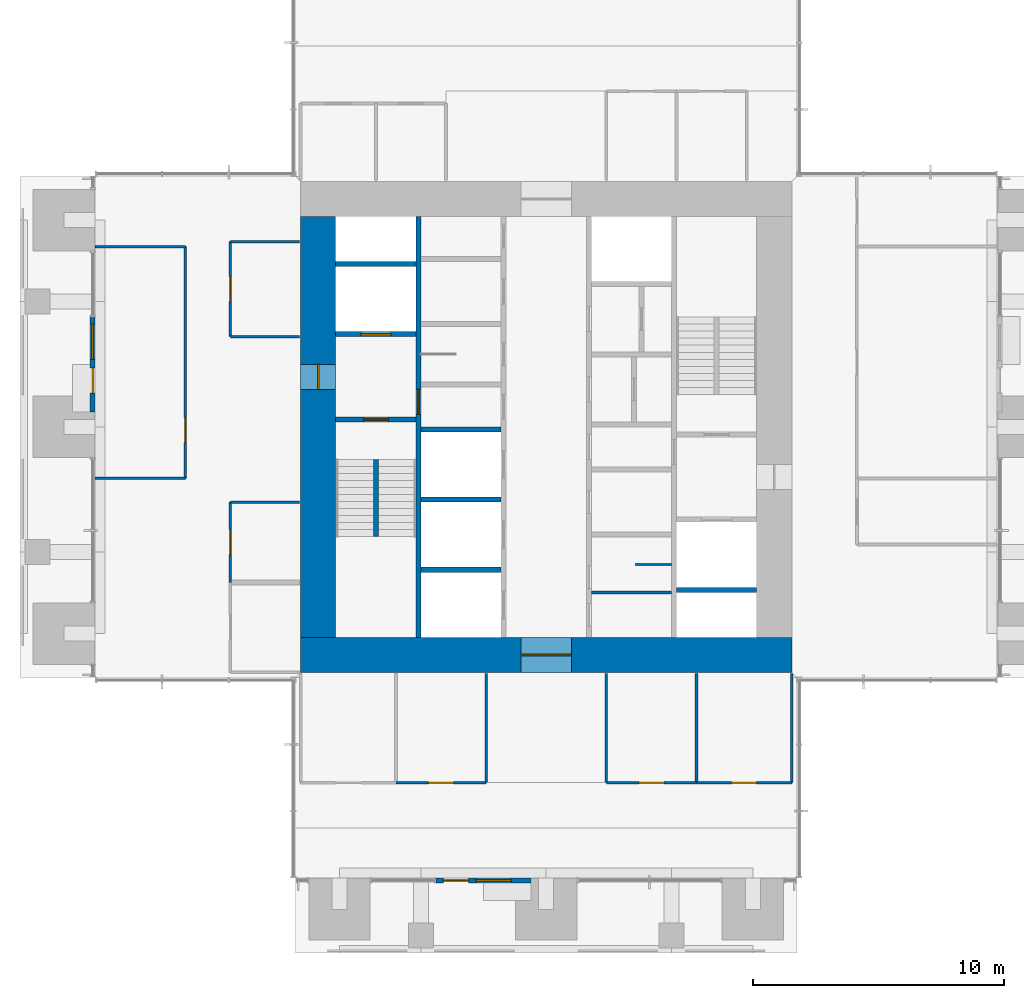
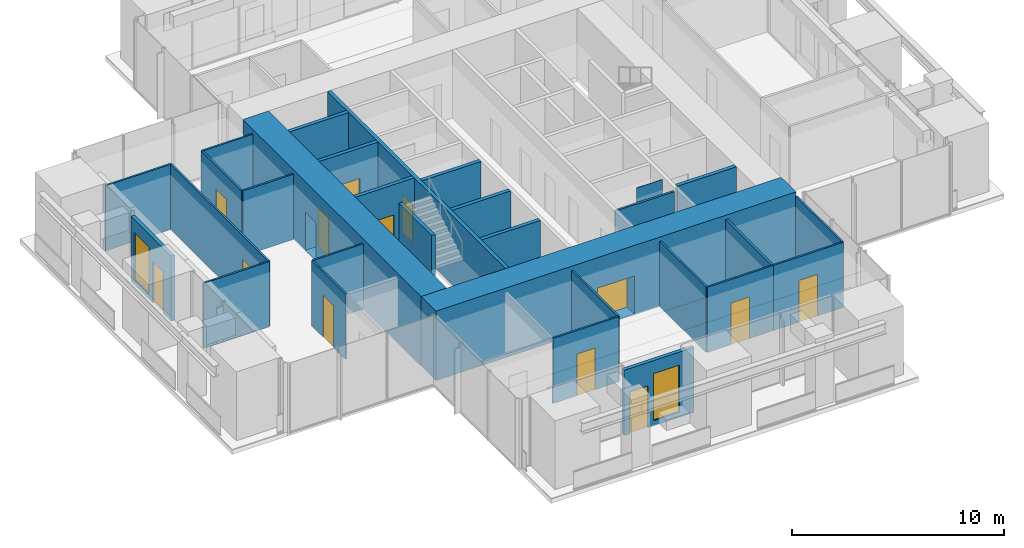
# One storey, part 12 of 17: 30 walls, 13 doors, 2 windows, 15 openings.
"""IFC4 building model written with IfcOpenShell, lengths in metres."""

from ifc_helpers import new_model, si_unit, direction, frame, frame_2d, origin, place, context, subcontext, project, spatial, rectangle, extrude, material, layer, layer_set, type_object, element, fill, save


model = new_model("IFC4")

# Units and contexts
model_context = context("Model", 3, precision=1e-05, world=origin(), true_north=direction((0.0, 1.0)))
body_context = subcontext(model_context, "Body", "Model", "MODEL_VIEW")
ifc_project = project(units=[si_unit("LENGTHUNIT", "METRE"), si_unit("AREAUNIT", "SQUARE_METRE"), si_unit("VOLUMEUNIT", "CUBIC_METRE"), si_unit("PLANEANGLEUNIT", "RADIAN"), si_unit("MASSUNIT", "GRAM", prefix="KILO")], contexts=[model_context])

# Site, building, storey
site_placement = place(None, origin())
site = spatial("IfcSite", under=ifc_project, at=site_placement, CompositionType="ELEMENT")
building_placement = place(site_placement, origin())
building = spatial("IfcBuilding", under=site, at=building_placement, Name="Svetlomir Tower", CompositionType="ELEMENT")
storey_placement = place(building_placement, frame((0.0, 0.0, 198.5)))
storey = spatial("IfcBuildingStorey", under=building, at=storey_placement, Name="L47", CompositionType="ELEMENT", Elevation=198.5)

# Wall, openings, door, window
ifc_material_1 = material(Name="Bronze anodised aluminium glazed screen", Category="aluminium")
ifc_layer_1 = layer(ifc_material_1, 0.199951171875)
ifc_layer_set_1 = layer_set([ifc_layer_1], Name="Bronze anodised aluminium glazed screen")
wall_type_1 = type_object("IfcWallType", Name="BALCONY SCREEN WALL 200", PredefinedType="USERDEFINED", material=ifc_layer_set_1)
wall_1_placement = place(storey_placement, frame((16.60009765625, 2.89990234375, 0.0), z_axis=(0.0, 0.0, 1.0), x_axis=(1.0, 0.0, 0.0)))
wall_1 = element("IfcWall", 1, at=wall_1_placement, inside=storey, type_object=wall_type_1, Name="Balcony screen S", ObjectType="GLAZED SCREEN", PredefinedType="USERDEFINED", context=body_context, shape_type="SweptSolid", body=[
    extrude(rectangle(XDim=3.7998046875, YDim=0.199951171875, at=frame_2d((1.89990234375, 0.0))), origin(), (0.0, 0.0, 1.0), 3.75),
])
opening_1_placement = place(wall_1_placement, frame((0.300048828125, 0.0, 0.0)))
opening_1 = element("IfcOpeningElement", 2, at=opening_1_placement, cuts=wall_1, Name="Opening BD", PredefinedType="OPENING", context=body_context, shape_type="SweptSolid", body=[
    extrude(rectangle(XDim=1.0, YDim=2.39990234375, at=frame_2d((0.5, 1.199951171875))), frame((0.0, 0.10986328125, 0.0), z_axis=(0.0, -1.0, 0.0), x_axis=(1.0, 0.0, 0.0)), (0.0, 0.0, 1.0), 0.219970703125),
])
opening_2_placement = place(wall_1_placement, frame((1.60009765625, 0.0, 0.300048828125)))
opening_2 = element("IfcOpeningElement", 3, at=opening_2_placement, cuts=wall_1, Name="Opening WS2", PredefinedType="OPENING", context=body_context, shape_type="SweptSolid", body=[
    extrude(rectangle(XDim=1.39990234375, YDim=2.699951171875, at=frame_2d((0.699951171875, 1.35009765625))), frame((0.0, 0.10986328125, 0.0), z_axis=(0.0, -1.0, 0.0), x_axis=(1.0, 0.0, 0.0)), (0.0, 0.0, 1.0), 0.219970703125),
])
ifc_material_2 = material(Name="Bronze anodised aluminium glazed door", Category="aluminium")
door_type_1 = type_object("IfcDoorType", Name="BALCONY DOOR BD 1000x2400", OperationType="SINGLE_SWING_LEFT", PredefinedType="DOOR", material=ifc_material_2)
door_1_placement = place(opening_1_placement, origin())
door_1 = element("IfcDoor", 4, at=door_1_placement, inside=storey, type_object=door_type_1, Name="Balcony screen S door", OperationType="SINGLE_SWING_LEFT", OverallHeight=2.39990234375, OverallWidth=1.0, PredefinedType="DOOR", context=body_context, shape_type="SweptSolid", body=[
    extrude(rectangle(XDim=1.0, YDim=2.39990234375, at=frame_2d((0.5, 1.199951171875))), frame((0.0, 0.02490234375, 0.0), z_axis=(0.0, -1.0, 0.0), x_axis=(1.0, 0.0, 0.0)), (0.0, 0.0, 1.0), 0.050048828125),
])
fill(opening_1, door_1)
ifc_material_3 = material(Name="Bronze anodised aluminium window", Category="aluminium")
window_type = type_object("IfcWindowType", Name="SCREEN WINDOW WS2 1400x2700", PartitioningType="SINGLE_PANEL", PredefinedType="WINDOW", material=ifc_material_3)
window_1_placement = place(opening_2_placement, origin())
window_1 = element("IfcWindow", 5, at=window_1_placement, inside=storey, type_object=window_type, Name="Balcony screen S window 1", OverallHeight=2.699951171875, OverallWidth=1.39990234375, PartitioningType="SINGLE_PANEL", PredefinedType="WINDOW", context=body_context, shape_type="SweptSolid", body=[
    extrude(rectangle(XDim=1.39990234375, YDim=2.699951171875, at=frame_2d((0.699951171875, 1.35009765625))), frame((0.0, 0.030029296875, 0.0), z_axis=(0.0, -1.0, 0.0), x_axis=(1.0, 0.0, 0.0)), (0.0, 0.0, 1.0), 0.06005859375),
])
fill(opening_2, window_1)

wall_2_placement = place(storey_placement, frame((2.89990234375, 25.39990234375, 0.0), z_axis=(0.0, 0.0, 1.0), x_axis=(0.0, -1.0, 0.0)))
wall_2 = element("IfcWall", 6, at=wall_2_placement, inside=storey, type_object=wall_type_1, Name="Balcony screen W", ObjectType="GLAZED SCREEN", PredefinedType="USERDEFINED", context=body_context, shape_type="SweptSolid", body=[
    extrude(rectangle(XDim=3.7998046875, YDim=0.199951171875, at=frame_2d((1.89990234375, 0.0))), origin(), (0.0, 0.0, 1.0), 3.75),
])
opening_3_placement = place(wall_2_placement, frame((2.050048828125, 0.0, 0.0)))
opening_3 = element("IfcOpeningElement", 7, at=opening_3_placement, cuts=wall_2, Name="Opening BD", PredefinedType="OPENING", context=body_context, shape_type="SweptSolid", body=[
    extrude(rectangle(XDim=1.0, YDim=2.39990234375, at=frame_2d((0.5, 1.199951171875))), frame((0.0, 0.10986328125, 0.0), z_axis=(0.0, -1.0, 0.0), x_axis=(1.0, 0.0, 0.0)), (0.0, 0.0, 1.0), 0.219970703125),
])
opening_4_placement = place(wall_2_placement, frame((0.300048828125, 0.0, 0.300048828125)))
opening_4 = element("IfcOpeningElement", 8, at=opening_4_placement, cuts=wall_2, Name="Opening WS2", PredefinedType="OPENING", context=body_context, shape_type="SweptSolid", body=[
    extrude(rectangle(XDim=1.39990234375, YDim=2.699951171875, at=frame_2d((0.699951171875, 1.35009765625))), frame((0.0, 0.10986328125, 0.0), z_axis=(0.0, -1.0, 0.0), x_axis=(1.0, 0.0, 0.0)), (0.0, 0.0, 1.0), 0.219970703125),
])
door_2_placement = place(opening_3_placement, origin())
door_2 = element("IfcDoor", 9, at=door_2_placement, inside=storey, type_object=door_type_1, Name="Balcony screen W door", OperationType="SINGLE_SWING_LEFT", OverallHeight=2.39990234375, OverallWidth=1.0, PredefinedType="DOOR", context=body_context, shape_type="SweptSolid", body=[
    extrude(rectangle(XDim=1.0, YDim=2.39990234375, at=frame_2d((0.5, 1.199951171875))), frame((0.0, 0.02490234375, 0.0), z_axis=(0.0, -1.0, 0.0), x_axis=(1.0, 0.0, 0.0)), (0.0, 0.0, 1.0), 0.050048828125),
])
fill(opening_3, door_2)
window_2_placement = place(opening_4_placement, origin())
window_2 = element("IfcWindow", 10, at=window_2_placement, inside=storey, type_object=window_type, Name="Balcony screen W window 1", OverallHeight=2.699951171875, OverallWidth=1.39990234375, PartitioningType="SINGLE_PANEL", PredefinedType="WINDOW", context=body_context, shape_type="SweptSolid", body=[
    extrude(rectangle(XDim=1.39990234375, YDim=2.699951171875, at=frame_2d((0.699951171875, 1.35009765625))), frame((0.0, 0.030029296875, 0.0), z_axis=(0.0, -1.0, 0.0), x_axis=(1.0, 0.0, 0.0)), (0.0, 0.0, 1.0), 0.06005859375),
])
fill(opening_4, window_2)

# Wall, opening, door
ifc_material_4 = material(Name="Concrete C60/75", Category="concrete")
ifc_layer_2 = layer(ifc_material_4, 0.199951171875)
ifc_layer_set_2 = layer_set([ifc_layer_2], Name="Concrete C60/75")
wall_type_2 = type_object("IfcWallType", Name="CORE INNER WALL 200", PredefinedType="SHEAR", material=ifc_layer_set_2)
wall_3_placement = place(storey_placement, frame((15.89990234375, 12.60009765625, -0.050048828125), z_axis=(0.0, 0.0, 1.0), x_axis=(0.0, 1.0, 0.0)))
wall_3 = element("IfcWall", 11, at=wall_3_placement, inside=storey, type_object=wall_type_2, Name="Core inner wall 15.9 L47", PredefinedType="SHEAR", context=body_context, shape_type="SweptSolid", body=[
    extrude(rectangle(XDim=16.7998046875, YDim=0.199951171875, at=frame_2d((8.39990234375, 0.0))), origin(), (0.0, 0.0, 1.0), 4.0),
])
opening_5_placement = place(wall_3_placement, frame((8.89990234375, 0.0, 0.050048828125)))
opening_5 = element("IfcOpeningElement", 12, at=opening_5_placement, cuts=wall_3, Name="Opening DF", PredefinedType="OPENING", context=body_context, shape_type="SweptSolid", body=[
    extrude(rectangle(XDim=1.0, YDim=2.199951171875, at=frame_2d((0.5, 1.10009765625))), frame((0.0, 0.10986328125, 0.0), z_axis=(0.0, -1.0, 0.0), x_axis=(1.0, 0.0, 0.0)), (0.0, 0.0, 1.0), 0.219970703125),
])
ifc_material_5 = material(Name="Steel fire door", Category="steel")
door_type_2 = type_object("IfcDoorType", Name="DOOR DF 1000x2200", OperationType="SINGLE_SWING_LEFT", PredefinedType="DOOR", material=ifc_material_5)
door_3_placement = place(opening_5_placement, origin())
door_3 = element("IfcDoor", 13, at=door_3_placement, inside=storey, type_object=door_type_2, Name="Core corridor west door L47", OperationType="SINGLE_SWING_LEFT", OverallHeight=2.199951171875, OverallWidth=1.0, PredefinedType="DOOR", context=body_context, shape_type="SweptSolid", body=[
    extrude(rectangle(XDim=1.0, YDim=2.199951171875, at=frame_2d((0.5, 1.10009765625))), frame((0.0, 0.02490234375, 0.0), z_axis=(0.0, -1.0, 0.0), x_axis=(1.0, 0.0, 0.0)), (0.0, 0.0, 1.0), 0.050048828125),
])
fill(opening_5, door_3)

wall_4_placement = place(storey_placement, frame((12.60009765625, 21.300048828125, -0.050048828125), z_axis=(0.0, 0.0, 1.0), x_axis=(1.0, 0.0, 0.0)))
wall_4 = element("IfcWall", 14, at=wall_4_placement, inside=storey, type_object=wall_type_2, Name="Core inner wall 12.6-15.8/21.3 L47", PredefinedType="SHEAR", context=body_context, shape_type="SweptSolid", body=[
    extrude(rectangle(XDim=3.199951171875, YDim=0.199951171875, at=frame_2d((1.60009765625, 0.0))), origin(), (0.0, 0.0, 1.0), 4.0),
])
opening_6_placement = place(wall_4_placement, frame((1.10009765625, 0.0, 0.050048828125)))
opening_6 = element("IfcOpeningElement", 15, at=opening_6_placement, cuts=wall_4, Name="Opening DF", PredefinedType="OPENING", context=body_context, shape_type="SweptSolid", body=[
    extrude(rectangle(XDim=1.0, YDim=2.199951171875, at=frame_2d((0.5, 1.10009765625))), frame((0.0, 0.10986328125, 0.0), z_axis=(0.0, -1.0, 0.0), x_axis=(1.0, 0.0, 0.0)), (0.0, 0.0, 1.0), 0.219970703125),
])
door_4_placement = place(opening_6_placement, origin())
door_4 = element("IfcDoor", 16, at=door_4_placement, inside=storey, type_object=door_type_2, Name="Stair S1 door L47", OperationType="SINGLE_SWING_RIGHT", OverallHeight=2.199951171875, OverallWidth=1.0, PredefinedType="DOOR", context=body_context, shape_type="SweptSolid", body=[
    extrude(rectangle(XDim=1.0, YDim=2.199951171875, at=frame_2d((0.5, 1.10009765625))), frame((0.0, 0.02490234375, 0.0), z_axis=(0.0, -1.0, 0.0), x_axis=(1.0, 0.0, 0.0)), (0.0, 0.0, 1.0), 0.050048828125),
])
fill(opening_6, door_4)

wall_5_placement = place(storey_placement, frame((12.60009765625, 24.699951171875, -0.050048828125), z_axis=(0.0, 0.0, 1.0), x_axis=(1.0, 0.0, 0.0)))
wall_5 = element("IfcWall", 17, at=wall_5_placement, inside=storey, type_object=wall_type_2, Name="Core inner wall 12.6-15.8/24.7 L47", PredefinedType="SHEAR", context=body_context, shape_type="SweptSolid", body=[
    extrude(rectangle(XDim=3.199951171875, YDim=0.199951171875, at=frame_2d((1.60009765625, 0.0))), origin(), (0.0, 0.0, 1.0), 4.0),
])
opening_7_placement = place(wall_5_placement, frame((1.0, 0.0, 0.050048828125)))
opening_7 = element("IfcOpeningElement", 18, at=opening_7_placement, cuts=wall_5, Name="Opening LD3", PredefinedType="OPENING", context=body_context, shape_type="SweptSolid", body=[
    extrude(rectangle(XDim=1.199951171875, YDim=2.199951171875, at=frame_2d((0.60009765625, 1.10009765625))), frame((0.0, 0.10986328125, 0.0), z_axis=(0.0, -1.0, 0.0), x_axis=(1.0, 0.0, 0.0)), (0.0, 0.0, 1.0), 0.219970703125),
])
ifc_material_6 = material(Name="Stainless steel fire-rated landing door", Category="steel")
door_type_3 = type_object("IfcDoorType", Name="FIREFIGHTING LIFT LANDING DOOR LD3 1200x2200", OperationType="DOUBLE_DOOR_SLIDING", PredefinedType="DOOR", material=ifc_material_6)
door_5_placement = place(opening_7_placement, origin())
door_5 = element("IfcDoor", 19, at=door_5_placement, inside=storey, type_object=door_type_3, Name="Landing door lift FL1 L47", OperationType="DOUBLE_DOOR_SLIDING", OverallHeight=2.199951171875, OverallWidth=1.199951171875, PredefinedType="DOOR", context=body_context, shape_type="SweptSolid", body=[
    extrude(rectangle(XDim=1.199951171875, YDim=2.199951171875, at=frame_2d((0.60009765625, 1.10009765625))), frame((0.0, 0.02490234375, 0.0), z_axis=(0.0, -1.0, 0.0), x_axis=(1.0, 0.0, 0.0)), (0.0, 0.0, 1.0), 0.050048828125),
])
fill(opening_7, door_5)

# Walls
for number, where, z_axis, x_axis, name in (
    (20, (12.60009765625, 27.5, -0.050048828125), (0.0, 0.0, 1.0), (1.0, 0.0, 0.0), "Core inner wall 12.6-15.8/27.5 L47"),
    (21, (16.0, 15.300048828125, -0.050048828125), (0.0, 0.0, 1.0), (1.0, 0.0, 0.0), "Core inner wall 16-19.2/15.3 L47"),
    (22, (16.0, 18.10009765625, -0.050048828125), (0.0, 0.0, 1.0), (1.0, 0.0, 0.0), "Core inner wall 16-19.2/18.1 L47"),
    (23, (16.0, 20.89990234375, -0.050048828125), (0.0, 0.0, 1.0), (1.0, 0.0, 0.0), "Core inner wall 16-19.2/20.9 L47"),
    (24, (26.199951171875, 14.5, -0.050048828125), (0.0, 0.0, 1.0), (1.0, 0.0, 0.0), "Core inner wall 26.2-29.4/14.5 L47"),
):
    element("IfcWall", number, at=place(storey_placement, frame(where, z_axis=z_axis, x_axis=x_axis)), inside=storey, type_object=wall_type_2, Name=name, PredefinedType="SHEAR", context=body_context, shape_type="SweptSolid", body=[
        extrude(rectangle(XDim=3.199951171875, YDim=0.199951171875, at=frame_2d((1.60009765625, 0.0))), origin(), (0.0, 0.0, 1.0), 4.0),
    ])

# Wall, opening, door
ifc_material_7 = material(Name="Concrete C60/75", Category="concrete")
ifc_layer_3 = layer(ifc_material_7, 1.39990234375)
ifc_layer_set_3 = layer_set([ifc_layer_3], Name="Concrete C60/75")
wall_type_3 = type_object("IfcWallType", Name="CORE WALL 1400", PredefinedType="SHEAR", material=ifc_layer_set_3)
wall_6_placement = place(storey_placement, frame((11.199951171875, 11.89990234375, -0.050048828125), z_axis=(0.0, 0.0, 1.0), x_axis=(1.0, 0.0, 0.0)))
wall_6 = element("IfcWall", 25, at=wall_6_placement, inside=storey, type_object=wall_type_3, Name="Core wall south L47", PredefinedType="SHEAR", context=body_context, shape_type="SweptSolid", body=[
    extrude(rectangle(XDim=19.60009765625, YDim=1.39990234375, at=frame_2d((9.800048828125, 0.0))), origin(), (0.0, 0.0, 1.0), 4.0),
])
opening_8_placement = place(wall_6_placement, frame((8.800048828125, 0.0, 0.050048828125)))
opening_8 = element("IfcOpeningElement", 26, at=opening_8_placement, cuts=wall_6, Name="Opening DL", PredefinedType="OPENING", context=body_context, shape_type="SweptSolid", body=[
    extrude(rectangle(XDim=2.0, YDim=2.199951171875, at=frame_2d((1.0, 1.10009765625))), frame((0.0, 0.7099609375, 0.0), z_axis=(0.0, -1.0, 0.0), x_axis=(1.0, 0.0, 0.0)), (0.0, 0.0, 1.0), 1.419921875),
])
ifc_material_8 = material(Name="Steel fire door", Category="steel")
door_type_4 = type_object("IfcDoorType", Name="DOOR DL 2000x2200", OperationType="DOUBLE_DOOR_SINGLE_SWING", PredefinedType="DOOR", material=ifc_material_8)
door_6_placement = place(opening_8_placement, origin())
door_6 = element("IfcDoor", 27, at=door_6_placement, inside=storey, type_object=door_type_4, Name="Lift lobby south door L47", OperationType="DOUBLE_DOOR_SINGLE_SWING", OverallHeight=2.199951171875, OverallWidth=2.0, PredefinedType="DOOR", context=body_context, shape_type="SweptSolid", body=[
    extrude(rectangle(XDim=2.0, YDim=2.199951171875, at=frame_2d((1.0, 1.10009765625))), frame((0.0, 0.02490234375, 0.0), z_axis=(0.0, -1.0, 0.0), x_axis=(1.0, 0.0, 0.0)), (0.0, 0.0, 1.0), 0.050048828125),
])
fill(opening_8, door_6)

wall_7_placement = place(storey_placement, frame((11.89990234375, 12.60009765625, -0.050048828125), z_axis=(0.0, 0.0, 1.0), x_axis=(0.0, 1.0, 0.0)))
wall_7 = element("IfcWall", 28, at=wall_7_placement, inside=storey, type_object=wall_type_3, Name="Core wall west L47", PredefinedType="SHEAR", context=body_context, shape_type="SweptSolid", body=[
    extrude(rectangle(XDim=16.7998046875, YDim=1.39990234375, at=frame_2d((8.39990234375, 0.0))), origin(), (0.0, 0.0, 1.0), 4.0),
])
opening_9_placement = place(wall_7_placement, frame((9.89990234375, 0.0, 0.050048828125)))
opening_9 = element("IfcOpeningElement", 29, at=opening_9_placement, cuts=wall_7, Name="Opening DF", PredefinedType="OPENING", context=body_context, shape_type="SweptSolid", body=[
    extrude(rectangle(XDim=1.0, YDim=2.199951171875, at=frame_2d((0.5, 1.10009765625))), frame((0.0, 0.7099609375, 0.0), z_axis=(0.0, -1.0, 0.0), x_axis=(1.0, 0.0, 0.0)), (0.0, 0.0, 1.0), 1.419921875),
])
door_7_placement = place(opening_9_placement, origin())
door_7 = element("IfcDoor", 30, at=door_7_placement, inside=storey, type_object=door_type_2, Name="Firefighting lobby west door L47", OperationType="SINGLE_SWING_RIGHT", OverallHeight=2.199951171875, OverallWidth=1.0, PredefinedType="DOOR", context=body_context, shape_type="SweptSolid", body=[
    extrude(rectangle(XDim=1.0, YDim=2.199951171875, at=frame_2d((0.5, 1.10009765625))), frame((0.0, 0.02490234375, 0.0), z_axis=(0.0, -1.0, 0.0), x_axis=(1.0, 0.0, 0.0)), (0.0, 0.0, 1.0), 0.050048828125),
])
fill(opening_9, door_7)

# Walls
ifc_material_9 = material(Name="Framed laminated glass partition", Category="glass")
ifc_layer_4 = layer(ifc_material_9, 0.10009765625)
ifc_layer_set_4 = layer_set([ifc_layer_4], Name="Framed laminated glass partition")
wall_type_4 = type_object("IfcWallType", Name="GLAZED PARTITION 100", PredefinedType="PARTITIONING", material=ifc_layer_set_4)
for number, where, z_axis, x_axis, name in (
    (31, (3.0, 18.949951171875, 0.0), (0.0, 0.0, 1.0), (1.0, 0.0, 0.0), "Glazed partition L47"),
    (32, (3.0, 28.199951171875, 0.0), (0.0, 0.0, 1.0), (1.0, 0.0, 0.0), "Glazed partition L47"),
):
    element("IfcWall", number, at=place(storey_placement, frame(where, z_axis=z_axis, x_axis=x_axis)), inside=storey, type_object=wall_type_4, Name=name, PredefinedType="PARTITIONING", context=body_context, shape_type="SweptSolid", body=[
        extrude(rectangle(XDim=3.60009765625, YDim=0.10009765625, at=frame_2d((1.800048828125, 0.0))), origin(), (0.0, 0.0, 1.0), 3.75),
    ])

# Wall, opening, door
wall_8_placement = place(storey_placement, frame((6.60009765625, 18.949951171875, 0.0), z_axis=(0.0, 0.0, 1.0), x_axis=(0.0, 1.0, 0.0)))
wall_8 = element("IfcWall", 33, at=wall_8_placement, inside=storey, type_object=wall_type_4, Name="Glazed partition L47", PredefinedType="PARTITIONING", context=body_context, shape_type="SweptSolid", body=[
    extrude(rectangle(XDim=9.25, YDim=0.10009765625, at=frame_2d((4.625, 0.0))), origin(), (0.0, 0.0, 1.0), 3.75),
])
opening_10_placement = place(wall_8_placement, frame((1.425048828125, 0.0, 0.0)))
opening_10 = element("IfcOpeningElement", 34, at=opening_10_placement, cuts=wall_8, Name="Opening DG", PredefinedType="OPENING", context=body_context, shape_type="SweptSolid", body=[
    extrude(rectangle(XDim=1.0, YDim=2.39990234375, at=frame_2d((0.5, 1.199951171875))), frame((0.0, 0.06005859375, 0.0), z_axis=(0.0, -1.0, 0.0), x_axis=(1.0, 0.0, 0.0)), (0.0, 0.0, 1.0), 0.1201171875),
])
ifc_material_10 = material(Name="Framed laminated glass door", Category="glass")
door_type_5 = type_object("IfcDoorType", Name="GLAZED DOOR DG 1000x2400", OperationType="SINGLE_SWING_LEFT", PredefinedType="DOOR", material=ifc_material_10)
door_8_placement = place(opening_10_placement, origin())
door_8 = element("IfcDoor", 35, at=door_8_placement, inside=storey, type_object=door_type_5, Name="Loggia break-out and kitchenette door L47", OperationType="SINGLE_SWING_LEFT", OverallHeight=2.39990234375, OverallWidth=1.0, PredefinedType="DOOR", context=body_context, shape_type="SweptSolid", body=[
    extrude(rectangle(XDim=1.0, YDim=2.39990234375, at=frame_2d((0.5, 1.199951171875))), frame((0.0, 0.02490234375, 0.0), z_axis=(0.0, -1.0, 0.0), x_axis=(1.0, 0.0, 0.0)), (0.0, 0.0, 1.0), 0.050048828125),
])
fill(opening_10, door_8)

wall_9_placement = place(storey_placement, frame((8.39990234375, 14.800048828125, 0.0), z_axis=(0.0, 0.0, 1.0), x_axis=(0.0, 1.0, 0.0)))
wall_9 = element("IfcWall", 36, at=wall_9_placement, inside=storey, type_object=wall_type_4, Name="Glazed partition L47", PredefinedType="PARTITIONING", context=body_context, shape_type="SweptSolid", body=[
    extrude(rectangle(XDim=3.199951171875, YDim=0.10009765625, at=frame_2d((1.60009765625, 0.0))), origin(), (0.0, 0.0, 1.0), 3.75),
])
opening_11_placement = place(wall_9_placement, frame((1.10009765625, 0.0, 0.0)))
opening_11 = element("IfcOpeningElement", 37, at=opening_11_placement, cuts=wall_9, Name="Opening DG", PredefinedType="OPENING", context=body_context, shape_type="SweptSolid", body=[
    extrude(rectangle(XDim=1.0, YDim=2.39990234375, at=frame_2d((0.5, 1.199951171875))), frame((0.0, 0.06005859375, 0.0), z_axis=(0.0, -1.0, 0.0), x_axis=(1.0, 0.0, 0.0)), (0.0, 0.0, 1.0), 0.1201171875),
])
door_9_placement = place(opening_11_placement, origin())
door_9 = element("IfcDoor", 38, at=door_9_placement, inside=storey, type_object=door_type_5, Name="Meeting room, 4 seats door L47", OperationType="SINGLE_SWING_LEFT", OverallHeight=2.39990234375, OverallWidth=1.0, PredefinedType="DOOR", context=body_context, shape_type="SweptSolid", body=[
    extrude(rectangle(XDim=1.0, YDim=2.39990234375, at=frame_2d((0.5, 1.199951171875))), frame((0.0, 0.02490234375, 0.0), z_axis=(0.0, -1.0, 0.0), x_axis=(1.0, 0.0, 0.0)), (0.0, 0.0, 1.0), 0.050048828125),
])
fill(opening_11, door_9)

# Wall
wall_10_placement = place(storey_placement, frame((8.39990234375, 18.0, 0.0), z_axis=(0.0, 0.0, 1.0), x_axis=(1.0, 0.0, 0.0)))
element("IfcWall", 39, at=wall_10_placement, inside=storey, type_object=wall_type_4, Name="Glazed partition L47", PredefinedType="PARTITIONING", context=body_context, shape_type="SweptSolid", body=[
    extrude(rectangle(XDim=2.75, YDim=0.10009765625, at=frame_2d((1.375, 0.0))), origin(), (0.0, 0.0, 1.0), 3.75),
])

# Wall, opening, door
wall_11_placement = place(storey_placement, frame((8.39990234375, 24.60009765625, 0.0), z_axis=(0.0, 0.0, 1.0), x_axis=(0.0, 1.0, 0.0)))
wall_11 = element("IfcWall", 40, at=wall_11_placement, inside=storey, type_object=wall_type_4, Name="Glazed partition L47", PredefinedType="PARTITIONING", context=body_context, shape_type="SweptSolid", body=[
    extrude(rectangle(XDim=3.7998046875, YDim=0.10009765625, at=frame_2d((1.89990234375, 0.0))), origin(), (0.0, 0.0, 1.0), 3.75),
])
opening_12_placement = place(wall_11_placement, frame((1.39990234375, 0.0, 0.0)))
opening_12 = element("IfcOpeningElement", 41, at=opening_12_placement, cuts=wall_11, Name="Opening DG", PredefinedType="OPENING", context=body_context, shape_type="SweptSolid", body=[
    extrude(rectangle(XDim=1.0, YDim=2.39990234375, at=frame_2d((0.5, 1.199951171875))), frame((0.0, 0.06005859375, 0.0), z_axis=(0.0, -1.0, 0.0), x_axis=(1.0, 0.0, 0.0)), (0.0, 0.0, 1.0), 0.1201171875),
])
door_10_placement = place(opening_12_placement, origin())
door_10 = element("IfcDoor", 42, at=door_10_placement, inside=storey, type_object=door_type_5, Name="Release war room door L47", OperationType="SINGLE_SWING_RIGHT", OverallHeight=2.39990234375, OverallWidth=1.0, PredefinedType="DOOR", context=body_context, shape_type="SweptSolid", body=[
    extrude(rectangle(XDim=1.0, YDim=2.39990234375, at=frame_2d((0.5, 1.199951171875))), frame((0.0, 0.02490234375, 0.0), z_axis=(0.0, -1.0, 0.0), x_axis=(1.0, 0.0, 0.0)), (0.0, 0.0, 1.0), 0.050048828125),
])
fill(opening_12, door_10)

# Walls
for number, where, z_axis, x_axis, name in (
    (43, (8.39990234375, 24.60009765625, 0.0), (0.0, 0.0, 1.0), (1.0, 0.0, 0.0), "Glazed partition L47"),
    (44, (8.39990234375, 28.39990234375, 0.0), (0.0, 0.0, 1.0), (1.0, 0.0, 0.0), "Glazed partition L47"),
):
    element("IfcWall", number, at=place(storey_placement, frame(where, z_axis=z_axis, x_axis=x_axis)), inside=storey, type_object=wall_type_4, Name=name, PredefinedType="PARTITIONING", context=body_context, shape_type="SweptSolid", body=[
        extrude(rectangle(XDim=2.75, YDim=0.10009765625, at=frame_2d((1.375, 0.0))), origin(), (0.0, 0.0, 1.0), 3.75),
    ])

# Wall, opening, door
wall_12_placement = place(storey_placement, frame((15.0, 6.800048828125, 0.0), z_axis=(0.0, 0.0, 1.0), x_axis=(1.0, 0.0, 0.0)))
wall_12 = element("IfcWall", 45, at=wall_12_placement, inside=storey, type_object=wall_type_4, Name="Glazed partition L47", PredefinedType="PARTITIONING", context=body_context, shape_type="SweptSolid", body=[
    extrude(rectangle(XDim=3.60009765625, YDim=0.10009765625, at=frame_2d((1.800048828125, 0.0))), origin(), (0.0, 0.0, 1.0), 3.75),
])
opening_13_placement = place(wall_12_placement, frame((1.300048828125, 0.0, 0.0)))
opening_13 = element("IfcOpeningElement", 46, at=opening_13_placement, cuts=wall_12, Name="Opening DG", PredefinedType="OPENING", context=body_context, shape_type="SweptSolid", body=[
    extrude(rectangle(XDim=1.0, YDim=2.39990234375, at=frame_2d((0.5, 1.199951171875))), frame((0.0, 0.06005859375, 0.0), z_axis=(0.0, -1.0, 0.0), x_axis=(1.0, 0.0, 0.0)), (0.0, 0.0, 1.0), 0.1201171875),
])
door_11_placement = place(opening_13_placement, origin())
door_11 = element("IfcDoor", 47, at=door_11_placement, inside=storey, type_object=door_type_5, Name="Squad room 2 door L47", OperationType="SINGLE_SWING_RIGHT", OverallHeight=2.39990234375, OverallWidth=1.0, PredefinedType="DOOR", context=body_context, shape_type="SweptSolid", body=[
    extrude(rectangle(XDim=1.0, YDim=2.39990234375, at=frame_2d((0.5, 1.199951171875))), frame((0.0, 0.02490234375, 0.0), z_axis=(0.0, -1.0, 0.0), x_axis=(1.0, 0.0, 0.0)), (0.0, 0.0, 1.0), 0.050048828125),
])
fill(opening_13, door_11)

# Walls
for number, where, z_axis, x_axis, name in (
    (48, (18.60009765625, 6.800048828125, 0.0), (0.0, 0.0, 1.0), (0.0, 1.0, 0.0), "Glazed partition L47"),
    (49, (23.39990234375, 6.800048828125, 0.0), (0.0, 0.0, 1.0), (0.0, 1.0, 0.0), "Glazed partition L47"),
):
    element("IfcWall", number, at=place(storey_placement, frame(where, z_axis=z_axis, x_axis=x_axis)), inside=storey, type_object=wall_type_4, Name=name, PredefinedType="PARTITIONING", context=body_context, shape_type="SweptSolid", body=[
        extrude(rectangle(XDim=4.349853515625, YDim=0.10009765625, at=frame_2d((2.1748046875, 0.0))), origin(), (0.0, 0.0, 1.0), 3.75),
    ])

# Wall, opening, door
wall_13_placement = place(storey_placement, frame((23.39990234375, 6.800048828125, 0.0), z_axis=(0.0, 0.0, 1.0), x_axis=(1.0, 0.0, 0.0)))
wall_13 = element("IfcWall", 50, at=wall_13_placement, inside=storey, type_object=wall_type_4, Name="Glazed partition L47", PredefinedType="PARTITIONING", context=body_context, shape_type="SweptSolid", body=[
    extrude(rectangle(XDim=3.60009765625, YDim=0.10009765625, at=frame_2d((1.800048828125, 0.0))), origin(), (0.0, 0.0, 1.0), 3.75),
])
opening_14_placement = place(wall_13_placement, frame((1.300048828125, 0.0, 0.0)))
opening_14 = element("IfcOpeningElement", 51, at=opening_14_placement, cuts=wall_13, Name="Opening DG", PredefinedType="OPENING", context=body_context, shape_type="SweptSolid", body=[
    extrude(rectangle(XDim=1.0, YDim=2.39990234375, at=frame_2d((0.5, 1.199951171875))), frame((0.0, 0.06005859375, 0.0), z_axis=(0.0, -1.0, 0.0), x_axis=(1.0, 0.0, 0.0)), (0.0, 0.0, 1.0), 0.1201171875),
])
door_12_placement = place(opening_14_placement, origin())
door_12 = element("IfcDoor", 52, at=door_12_placement, inside=storey, type_object=door_type_5, Name="Squad room 3 door L47", OperationType="SINGLE_SWING_LEFT", OverallHeight=2.39990234375, OverallWidth=1.0, PredefinedType="DOOR", context=body_context, shape_type="SweptSolid", body=[
    extrude(rectangle(XDim=1.0, YDim=2.39990234375, at=frame_2d((0.5, 1.199951171875))), frame((0.0, 0.02490234375, 0.0), z_axis=(0.0, -1.0, 0.0), x_axis=(1.0, 0.0, 0.0)), (0.0, 0.0, 1.0), 0.050048828125),
])
fill(opening_14, door_12)

wall_14_placement = place(storey_placement, frame((27.0, 6.800048828125, 0.0), z_axis=(0.0, 0.0, 1.0), x_axis=(1.0, 0.0, 0.0)))
wall_14 = element("IfcWall", 53, at=wall_14_placement, inside=storey, type_object=wall_type_4, Name="Glazed partition L47", PredefinedType="PARTITIONING", context=body_context, shape_type="SweptSolid", body=[
    extrude(rectangle(XDim=3.800048828125, YDim=0.10009765625, at=frame_2d((1.89990234375, 0.0))), origin(), (0.0, 0.0, 1.0), 3.75),
])
opening_15_placement = place(wall_14_placement, frame((1.39990234375, 0.0, 0.0)))
opening_15 = element("IfcOpeningElement", 54, at=opening_15_placement, cuts=wall_14, Name="Opening DG", PredefinedType="OPENING", context=body_context, shape_type="SweptSolid", body=[
    extrude(rectangle(XDim=1.0, YDim=2.39990234375, at=frame_2d((0.5, 1.199951171875))), frame((0.0, 0.06005859375, 0.0), z_axis=(0.0, -1.0, 0.0), x_axis=(1.0, 0.0, 0.0)), (0.0, 0.0, 1.0), 0.1201171875),
])
door_13_placement = place(opening_15_placement, origin())
door_13 = element("IfcDoor", 55, at=door_13_placement, inside=storey, type_object=door_type_5, Name="Squad room 4 door L47", OperationType="SINGLE_SWING_RIGHT", OverallHeight=2.39990234375, OverallWidth=1.0, PredefinedType="DOOR", context=body_context, shape_type="SweptSolid", body=[
    extrude(rectangle(XDim=1.0, YDim=2.39990234375, at=frame_2d((0.5, 1.199951171875))), frame((0.0, 0.02490234375, 0.0), z_axis=(0.0, -1.0, 0.0), x_axis=(1.0, 0.0, 0.0)), (0.0, 0.0, 1.0), 0.050048828125),
])
fill(opening_15, door_13)

# Walls
wall_15_placement = place(storey_placement, frame((30.800048828125, 6.800048828125, 0.0), z_axis=(0.0, 0.0, 1.0), x_axis=(0.0, 1.0, 0.0)))
element("IfcWall", 56, at=wall_15_placement, inside=storey, type_object=wall_type_4, Name="Glazed partition L47", PredefinedType="PARTITIONING", context=body_context, shape_type="SweptSolid", body=[
    extrude(rectangle(XDim=4.349853515625, YDim=0.10009765625, at=frame_2d((2.1748046875, 0.0))), origin(), (0.0, 0.0, 1.0), 3.75),
])
ifc_material_11 = material(Name="Gypsum board on steel studs", Category="steel")
ifc_layer_5 = layer(ifc_material_11, 0.1201171875)
ifc_layer_set_5 = layer_set([ifc_layer_5], Name="Gypsum board on steel studs")
wall_type_5 = type_object("IfcWallType", Name="PARTITION 120", PredefinedType="PARTITIONING", material=ifc_layer_set_5)
wall_16_placement = place(storey_placement, frame((22.800048828125, 14.39990234375, 0.0), z_axis=(0.0, 0.0, 1.0), x_axis=(1.0, 0.0, 0.0)))
element("IfcWall", 57, at=wall_16_placement, inside=storey, type_object=wall_type_5, Name="Floor store partition L47", PredefinedType="PARTITIONING", context=body_context, shape_type="SweptSolid", body=[
    extrude(rectangle(XDim=3.199951171875, YDim=0.1201171875, at=frame_2d((1.60009765625, 0.0))), origin(), (0.0, 0.0, 1.0), 3.75),
])
wall_17_placement = place(storey_placement, frame((27.0, 6.800048828125, 0.0), z_axis=(0.0, 0.0, 1.0), x_axis=(0.0, 1.0, 0.0)))
element("IfcWall", 58, at=wall_17_placement, inside=storey, type_object=wall_type_5, Name="Partition L47", PredefinedType="PARTITIONING", context=body_context, shape_type="SweptSolid", body=[
    extrude(rectangle(XDim=4.349853515625, YDim=0.1201171875, at=frame_2d((2.1748046875, 0.0))), origin(), (0.0, 0.0, 1.0), 3.75),
])
ifc_material_12 = material(Name="Concrete C60/75", Category="concrete")
ifc_layer_6 = layer(ifc_material_12, 0.199951171875)
ifc_layer_set_6 = layer_set([ifc_layer_6], Name="Concrete C60/75")
wall_type_6 = type_object("IfcWallType", Name="STAIR SPINE WALL 200", PredefinedType="PARTITIONING", material=ifc_layer_set_6)
wall_18_placement = place(storey_placement, frame((14.199951171875, 16.6201171875, 0.0), z_axis=(0.0, 0.0, 1.0), x_axis=(0.0, 1.0, 0.0)))
element("IfcWall", 59, at=wall_18_placement, inside=storey, type_object=wall_type_6, Name="Stair S1 spine wall L47", PredefinedType="PARTITIONING", context=body_context, shape_type="SweptSolid", body=[
    extrude(rectangle(XDim=3.079833984375, YDim=0.199951171875, at=frame_2d((1.5400390625, 0.0))), origin(), (0.0, 0.0, 1.0), 4.0),
])
ifc_material_13 = material(Name="Compact laminate panel", Category="plastic")
ifc_layer_7 = layer(ifc_material_13, 0.030029296875)
ifc_layer_set_7 = layer_set([ifc_layer_7], Name="Compact laminate panel")
wall_type_7 = type_object("IfcWallType", Name="WC CUBICLE PARTITION 30", PredefinedType="PARTITIONING", material=ifc_layer_set_7)
wall_19_placement = place(storey_placement, frame((24.60009765625, 15.5, 0.0), z_axis=(0.0, 0.0, 1.0), x_axis=(1.0, 0.0, 0.0)))
element("IfcWall", 60, at=wall_19_placement, inside=storey, type_object=wall_type_7, Name="WC cubicle partition L47", PredefinedType="PARTITIONING", context=body_context, shape_type="SweptSolid", body=[
    extrude(rectangle(XDim=1.39990234375, YDim=0.030029296875, at=frame_2d((0.699951171875, 0.0))), origin(), (0.0, 0.0, 1.0), 3.75),
])

save(model, "model.ifc")
